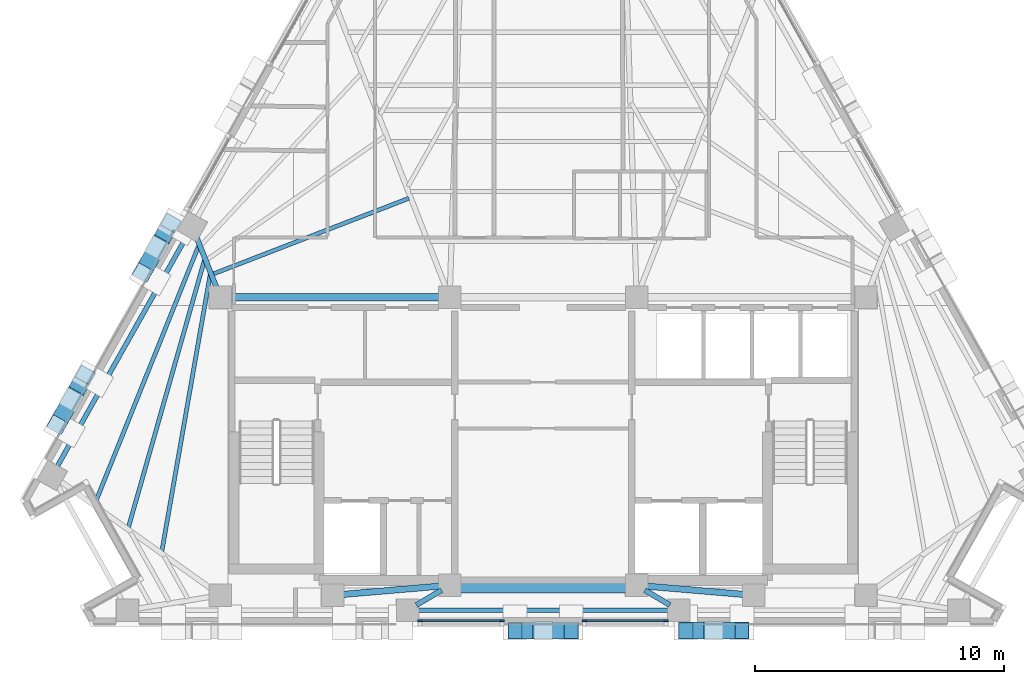
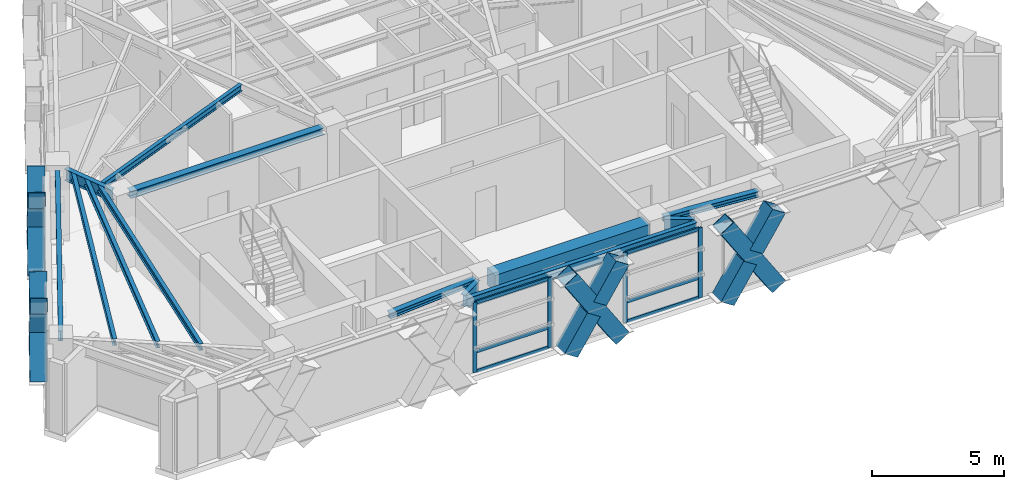
# One storey, part 2 of 12: 22 members, 13 beams, 2 elements without a shape of their own.
"""IFC4 building model written with IfcOpenShell, lengths in metres."""

from ifc_helpers import new_model, si_unit, direction, frame, origin, origin_2d, place, context, subcontext, project, spatial, rectangle, hollow_rectangle, i_section, extrude, material, material_profile, profile_set, type_object, element, aggregate, save


model = new_model("IFC4")

# Units and contexts
model_context = context("Model", 3, precision=1e-05, world=origin(), true_north=direction((0.0, 1.0)))
body_context = subcontext(model_context, "Body", "Model", "MODEL_VIEW")
ifc_project = project(units=[si_unit("LENGTHUNIT", "METRE"), si_unit("AREAUNIT", "SQUARE_METRE"), si_unit("VOLUMEUNIT", "CUBIC_METRE"), si_unit("PLANEANGLEUNIT", "RADIAN"), si_unit("MASSUNIT", "GRAM", prefix="KILO")], contexts=[model_context])

# Site, building, storey
site_placement = place(None, origin())
site = spatial("IfcSite", under=ifc_project, at=site_placement, CompositionType="ELEMENT")
building_placement = place(site_placement, origin())
building = spatial("IfcBuilding", under=site, at=building_placement, Name="Quenlor Broadcast Tower", CompositionType="ELEMENT")
storey_placement = place(building_placement, frame((0.0, 0.0, 204.39990234375)))
storey = spatial("IfcBuildingStorey", under=building, at=storey_placement, Name="L56", CompositionType="ELEMENT", Elevation=204.39990234375)

# Curtain wall, members
ifc_material_1 = material(Name="Architectural Terracotta and Low-E Glazing", Category="masonry")
curtain_wall_type = type_object("IfcCurtainWallType", Name="Unitised Terracotta Curtain Wall System Z4", PredefinedType="NOTDEFINED", material=ifc_material_1)
curtain_wall_1_placement = place(storey_placement, origin())
curtain_wall_1 = element("IfcCurtainWall", 1, at=curtain_wall_1_placement, inside=storey, type_object=curtain_wall_type, Name="L56 Curtain Wall CW4 (L56-S-G1)", PredefinedType="NOTDEFINED")
ifc_material_2 = material(Name="Aluminium 6063-T6", Category="aluminium")
ifc_material_profile_1 = material_profile(ifc_material_2, rectangle(XDim=0.068115234375, YDim=0.179931640625, at=origin_2d()))
ifc_profile_set_1 = profile_set([ifc_material_profile_1], Name="Aluminium 6063-T6 MULL68x180")
member_type_1 = type_object("IfcMemberType", Name="CW4 Aluminium Mullion MULL_CW4", PredefinedType="MULLION", material=ifc_profile_set_1)
member_1_placement = place(storey_placement, frame((4.933837890625, -17.77490234375, 0.0), z_axis=(0.0, 0.0, 1.0), x_axis=(0.0, -1.0, 0.0)))
member_1 = element("IfcMember", 2, at=member_1_placement, type_object=member_type_1, Name="CW4 mullion 1", PredefinedType="MULLION", context=body_context, shape_type="SweptSolid", body=[
    extrude(rectangle(XDim=0.068115234375, YDim=0.179931640625, at=origin_2d()), origin(), (0.0, 0.0, 1.0), 3.25),
])
member_2_placement = place(storey_placement, frame((1.655029296875, -17.77490234375, 0.0), z_axis=(0.0, 0.0, 1.0), x_axis=(0.0, -1.0, 0.0)))
member_2 = element("IfcMember", 3, at=member_2_placement, type_object=member_type_1, Name="CW4 mullion 2", PredefinedType="MULLION", context=body_context, shape_type="SweptSolid", body=[
    extrude(rectangle(XDim=0.068115234375, YDim=0.179931640625, at=origin_2d()), origin(), (0.0, 0.0, 1.0), 3.25),
])

curtain_wall_2_placement = place(storey_placement, origin())
curtain_wall_2 = element("IfcCurtainWall", 4, at=curtain_wall_2_placement, inside=storey, type_object=curtain_wall_type, Name="L56 Curtain Wall CW4 (L56-S-G2)", PredefinedType="NOTDEFINED")
member_3_placement = place(storey_placement, frame((-1.655029296875, -17.77490234375, 0.0), z_axis=(0.0, 0.0, 1.0), x_axis=(0.0, -1.0, 0.0)))
member_3 = element("IfcMember", 5, at=member_3_placement, type_object=member_type_1, Name="CW4 mullion 1", PredefinedType="MULLION", context=body_context, shape_type="SweptSolid", body=[
    extrude(rectangle(XDim=0.068115234375, YDim=0.179931640625, at=origin_2d()), origin(), (0.0, 0.0, 1.0), 3.25),
])
member_4_placement = place(storey_placement, frame((-4.933837890625, -17.77490234375, 0.0), z_axis=(0.0, 0.0, 1.0), x_axis=(0.0, -1.0, 0.0)))
member_4 = element("IfcMember", 6, at=member_4_placement, type_object=member_type_1, Name="CW4 mullion 2", PredefinedType="MULLION", context=body_context, shape_type="SweptSolid", body=[
    extrude(rectangle(XDim=0.068115234375, YDim=0.179931640625, at=origin_2d()), origin(), (0.0, 0.0, 1.0), 3.25),
])

# Member
ifc_material_3 = material(Name="Aluminium 6063-T6", Category="aluminium")
ifc_material_profile_2 = material_profile(ifc_material_3, rectangle(XDim=0.068115234375, YDim=0.14990234375, at=origin_2d()))
ifc_profile_set_2 = profile_set([ifc_material_profile_2], Name="Aluminium 6063-T6 TRAN68x150")
member_type_2 = type_object("IfcMemberType", Name="CW4 Aluminium Transom TRAN_CW4", PredefinedType="USERDEFINED", material=ifc_profile_set_2)
member_5_placement = place(storey_placement, frame((4.89990234375, -17.77490234375, 0.0341796875), z_axis=(-1.0, 0.0, 0.0), x_axis=(0.0, -1.0, 0.0)))
member_5 = element("IfcMember", 7, at=member_5_placement, type_object=member_type_2, Name="CW4 transom 1.1", ObjectType="TRANSOM", PredefinedType="USERDEFINED", context=body_context, shape_type="SweptSolid", body=[
    extrude(rectangle(XDim=0.068115234375, YDim=0.14990234375, at=origin_2d()), origin(), (0.0, 0.0, 1.0), 3.210693359375),
])

member_6_placement = place(storey_placement, frame((4.89990234375, -17.77490234375, 0.9501953125), z_axis=(-1.0, 0.0, 0.0), x_axis=(0.0, -1.0, 0.0)))
member_6 = element("IfcMember", 8, at=member_6_placement, type_object=member_type_2, Name="CW4 transom 1.2", ObjectType="TRANSOM", PredefinedType="USERDEFINED", context=body_context, shape_type="SweptSolid", body=[
    extrude(rectangle(XDim=0.068115234375, YDim=0.14990234375, at=origin_2d()), origin(), (0.0, 0.0, 1.0), 3.210693359375),
])

member_7_placement = place(storey_placement, frame((4.89990234375, -17.77490234375, 3.216064453125), z_axis=(-1.0, 0.0, 0.0), x_axis=(0.0, -1.0, 0.0)))
member_7 = element("IfcMember", 9, at=member_7_placement, type_object=member_type_2, Name="CW4 transom 1.3", ObjectType="TRANSOM", PredefinedType="USERDEFINED", context=body_context, shape_type="SweptSolid", body=[
    extrude(rectangle(XDim=0.068115234375, YDim=0.14990234375, at=origin_2d()), origin(), (0.0, 0.0, 1.0), 3.210693359375),
])

aggregate(curtain_wall_1, [member_1, member_2, member_5, member_6, member_7])

member_8_placement = place(storey_placement, frame((-1.689208984375, -17.77490234375, 0.0341796875), z_axis=(-1.0, 0.0, 0.0), x_axis=(0.0, -1.0, 0.0)))
member_8 = element("IfcMember", 10, at=member_8_placement, type_object=member_type_2, Name="CW4 transom 1.1", ObjectType="TRANSOM", PredefinedType="USERDEFINED", context=body_context, shape_type="SweptSolid", body=[
    extrude(rectangle(XDim=0.068115234375, YDim=0.14990234375, at=origin_2d()), origin(), (0.0, 0.0, 1.0), 3.210693359375),
])

member_9_placement = place(storey_placement, frame((-1.689208984375, -17.77490234375, 0.9501953125), z_axis=(-1.0, 0.0, 0.0), x_axis=(0.0, -1.0, 0.0)))
member_9 = element("IfcMember", 11, at=member_9_placement, type_object=member_type_2, Name="CW4 transom 1.2", ObjectType="TRANSOM", PredefinedType="USERDEFINED", context=body_context, shape_type="SweptSolid", body=[
    extrude(rectangle(XDim=0.068115234375, YDim=0.14990234375, at=origin_2d()), origin(), (0.0, 0.0, 1.0), 3.210693359375),
])

member_10_placement = place(storey_placement, frame((-1.689208984375, -17.77490234375, 3.216064453125), z_axis=(-1.0, 0.0, 0.0), x_axis=(0.0, -1.0, 0.0)))
member_10 = element("IfcMember", 12, at=member_10_placement, type_object=member_type_2, Name="CW4 transom 1.3", ObjectType="TRANSOM", PredefinedType="USERDEFINED", context=body_context, shape_type="SweptSolid", body=[
    extrude(rectangle(XDim=0.068115234375, YDim=0.14990234375, at=origin_2d()), origin(), (0.0, 0.0, 1.0), 3.210693359375),
])

aggregate(curtain_wall_2, [member_3, member_4, member_8, member_9, member_10])

# Beams
ifc_material_4 = material(Name="Concrete C50/60", Category="concrete")
ifc_material_profile_3 = material_profile(ifc_material_4, rectangle(XDim=0.60009765625, YDim=0.800048828125, at=origin_2d()))
ifc_profile_set_3 = profile_set([ifc_material_profile_3], Name="Concrete C50/60 RCB600x800")
beam_type_1 = type_object("IfcBeamType", Name="Core Coupling Beam Concrete C50/60 600x800", PredefinedType="BEAM", material=ifc_profile_set_3)
beam_1_placement = place(storey_placement, frame((-3.389892578125, -16.35009765625, 2.85009765625), z_axis=(1.0, 0.0, 0.0), x_axis=(0.0, 1.0, 0.0)))
element("IfcBeam", 13, at=beam_1_placement, inside=storey, type_object=beam_type_1, Name="L56 Core Coupling Beam 6", PredefinedType="BEAM", context=body_context, shape_type="SweptSolid", body=[
    extrude(rectangle(XDim=0.60009765625, YDim=0.800048828125, at=origin_2d()), origin(), (0.0, 0.0, 1.0), 6.77978515625),
])
ifc_material_5 = material(Name="Steel S355", Category="steel")
ifc_material_profile_4 = material_profile(ifc_material_5, i_section(OverallWidth=0.25390625, OverallDepth=0.25390625, WebThickness=0.008544921875, FlangeThickness=0.01416015625, FilletRadius=0.013916015625, at=origin_2d()))
ifc_profile_set_4 = profile_set([ifc_material_profile_4], Name="Steel S355 250UC72.9")
beam_type_2 = type_object("IfcBeamType", Name="Core Opening Lintel Beam Steel S355 250UC72.9", PredefinedType="LINTEL", material=ifc_profile_set_4)
for number, where, z_axis, x_axis, name in (
    (14, (-8.09130859375, -16.719482421875, 3.123291015625), (0.996399763903, 0.084779186679, 0.0), (-0.084779186679, 0.996399763903, 0.0), "L56 Core Opening Lintel Beam 4"),
    (15, (4.108642578125, -16.380615234375, 3.123291015625), (0.996399763903, -0.084779186679, 0.0), (0.084779186679, 0.996399763903, 0.0), "L56 Core Opening Lintel Beam 5"),
):
    element("IfcBeam", number, at=place(storey_placement, frame(where, z_axis=z_axis, x_axis=x_axis)), inside=storey, type_object=beam_type_2, Name=name, PredefinedType="LINTEL", context=body_context, shape_type="SweptSolid", body=[
        extrude(i_section(OverallWidth=0.25390625, OverallDepth=0.25390625, WebThickness=0.008544921875, FlangeThickness=0.01416015625, FilletRadius=0.013916015625, at=origin_2d()), origin(), (0.0, 0.0, 1.0), 3.9970703125),
    ])
ifc_material_6 = material(Name="Steel S355", Category="steel")
ifc_material_profile_5 = material_profile(ifc_material_6, i_section(OverallWidth=0.306884765625, OverallDepth=0.314697265625, WebThickness=0.011962890625, FlangeThickness=0.018798828125, FilletRadius=0.0166015625, at=origin_2d()))
ifc_profile_set_5 = profile_set([ifc_material_profile_5], Name="Steel S355 310UC118")
beam_type_3 = type_object("IfcBeamType", Name="Core Tie Beam Steel S355 310UC118", PredefinedType="BEAM", material=ifc_profile_set_5)
beam_2_placement = place(storey_placement, frame((-12.590087890625, -4.800048828125, 3.0927734375), z_axis=(1.0, 0.0, 0.0), x_axis=(0.0, 1.0, 0.0)))
element("IfcBeam", 16, at=beam_2_placement, inside=storey, type_object=beam_type_3, Name="L56 Core Tie Beam 1", PredefinedType="BEAM", context=body_context, shape_type="SweptSolid", body=[
    extrude(i_section(OverallWidth=0.306884765625, OverallDepth=0.314697265625, WebThickness=0.011962890625, FlangeThickness=0.018798828125, FilletRadius=0.0166015625, at=origin_2d()), origin(), (0.0, 0.0, 1.0), 8.47998046875),
])

# Members
ifc_material_7 = material(Name="Steel S355", Category="steel")
ifc_material_profile_6 = material_profile(ifc_material_7, hollow_rectangle(XDim=0.679931640625, YDim=0.679931640625, WallThickness=0.02490234375, at=origin_2d()))
ifc_profile_set_6 = profile_set([ifc_material_profile_6], Name="Steel S355 RHS680x680x25")
member_type_3 = type_object("IfcMemberType", Name="Perimeter Diagonal Lattice Brace Z3-Z4 Steel S355 RHS680x25", PredefinedType="BRACE", material=ifc_profile_set_6)
member_11_placement = place(storey_placement, frame((7.978515625, -18.169921875, -0.119873046875), z_axis=(-0.541794306908, 0.0, 0.840511111766), x_axis=(0.0, -1.0, 0.0)))
element("IfcMember", 17, at=member_11_placement, inside=storey, type_object=member_type_3, Name="L56 Perimeter Diamond Lattice S-C2XA", PredefinedType="BRACE", context=body_context, shape_type="SweptSolid", body=[
    extrude(hollow_rectangle(XDim=0.679931640625, YDim=0.679931640625, WallThickness=0.02490234375, at=origin_2d()), origin(), (0.0, 0.0, 1.0), 4.1640625),
])
member_12_placement = place(storey_placement, frame((5.722412109375, -18.169921875, -0.119873046875), z_axis=(0.54184151587, 0.0, 0.840480678945), x_axis=(0.0, 1.0, 0.0)))
element("IfcMember", 18, at=member_12_placement, inside=storey, type_object=member_type_3, Name="L56 Perimeter Diamond Lattice S-C2XB1", PredefinedType="BRACE", context=body_context, shape_type="SweptSolid", body=[
    extrude(hollow_rectangle(XDim=0.679931640625, YDim=0.679931640625, WallThickness=0.02490234375, at=origin_2d()), origin(), (0.0, 0.0, 1.0), 1.83203125),
])
member_13_placement = place(storey_placement, frame((6.98583984375, -18.169921875, 1.840087890625), z_axis=(0.541780832962, 0.0, 0.840519796932), x_axis=(0.0, 1.0, 0.0)))
element("IfcMember", 19, at=member_13_placement, inside=storey, type_object=member_type_3, Name="L56 Perimeter Diamond Lattice S-C2XB2", PredefinedType="BRACE", context=body_context, shape_type="SweptSolid", body=[
    extrude(hollow_rectangle(XDim=0.679931640625, YDim=0.679931640625, WallThickness=0.02490234375, at=origin_2d()), origin(), (0.0, 0.0, 1.0), 1.832275390625),
])
member_14_placement = place(storey_placement, frame((1.1279296875, -18.169921875, -0.119873046875), z_axis=(-0.541752885669, 0.0, 0.840537810493), x_axis=(0.0, -1.0, 0.0)))
element("IfcMember", 20, at=member_14_placement, inside=storey, type_object=member_type_3, Name="L56 Perimeter Diamond Lattice S-C3XA", PredefinedType="BRACE", context=body_context, shape_type="SweptSolid", body=[
    extrude(hollow_rectangle(XDim=0.679931640625, YDim=0.679931640625, WallThickness=0.02490234375, at=origin_2d()), origin(), (0.0, 0.0, 1.0), 4.1640625),
])
member_15_placement = place(storey_placement, frame((-1.1279296875, -18.169921875, -0.119873046875), z_axis=(0.54174736867, 0.0, 0.840541366347), x_axis=(0.0, 1.0, 0.0)))
element("IfcMember", 21, at=member_15_placement, inside=storey, type_object=member_type_3, Name="L56 Perimeter Diamond Lattice S-C3XB1", PredefinedType="BRACE", context=body_context, shape_type="SweptSolid", body=[
    extrude(hollow_rectangle(XDim=0.679931640625, YDim=0.679931640625, WallThickness=0.02490234375, at=origin_2d()), origin(), (0.0, 0.0, 1.0), 1.831787109375),
])
member_16_placement = place(storey_placement, frame((0.135498046875, -18.169921875, 1.840087890625), z_axis=(0.541686687545, 0.0, 0.840580473563), x_axis=(0.0, 1.0, 0.0)))
element("IfcMember", 22, at=member_16_placement, inside=storey, type_object=member_type_3, Name="L56 Perimeter Diamond Lattice S-C3XB2", PredefinedType="BRACE", context=body_context, shape_type="SweptSolid", body=[
    extrude(hollow_rectangle(XDim=0.679931640625, YDim=0.679931640625, WallThickness=0.02490234375, at=origin_2d()), origin(), (0.0, 0.0, 1.0), 1.83203125),
])
member_17_placement = place(storey_placement, frame((-19.49609375, -9.912841796875, -0.119873046875), z_axis=(0.269547055694, 0.479136497832, 0.835327840559), x_axis=(-0.871550060774, 0.49030652817, 0.0)))
element("IfcMember", 23, at=member_17_placement, inside=storey, type_object=member_type_3, Name="L56 Perimeter Diamond Lattice NW-C1XA", PredefinedType="BRACE", context=body_context, shape_type="SweptSolid", body=[
    extrude(hollow_rectangle(XDim=0.679931640625, YDim=0.679931640625, WallThickness=0.02490234375, at=origin_2d()), origin(), (0.0, 0.0, 1.0), 4.18994140625),
])
for number, where, z_axis, x_axis, name in (
    (24, (-18.36669921875, -7.9052734375, -0.119873046875), (-0.269535527865, -0.479130165145, 0.835335192642), (0.871556252289, -0.490295522207, 0.0), "L56 Perimeter Diamond Lattice NW-C1XB1"),
    (25, (-18.998779296875, -9.02880859375, 1.8388671875), (-0.269535527865, -0.479130165145, 0.835335192642), (0.871556252289, -0.490295522207, 0.0), "L56 Perimeter Diamond Lattice NW-C1XB2"),
):
    element("IfcMember", number, at=place(storey_placement, frame(where, z_axis=z_axis, x_axis=x_axis)), inside=storey, type_object=member_type_3, Name=name, PredefinedType="BRACE", context=body_context, shape_type="SweptSolid", body=[
        extrude(hollow_rectangle(XDim=0.679931640625, YDim=0.679931640625, WallThickness=0.02490234375, at=origin_2d()), origin(), (0.0, 0.0, 1.0), 1.844970703125),
    ])
member_18_placement = place(storey_placement, frame((-16.06689453125, -3.816650390625, -0.119873046875), z_axis=(0.269547055694, 0.479136497832, 0.835327840559), x_axis=(-0.871550060774, 0.49030652817, 0.0)))
element("IfcMember", 26, at=member_18_placement, inside=storey, type_object=member_type_3, Name="L56 Perimeter Diamond Lattice NW-C2XA", PredefinedType="BRACE", context=body_context, shape_type="SweptSolid", body=[
    extrude(hollow_rectangle(XDim=0.679931640625, YDim=0.679931640625, WallThickness=0.02490234375, at=origin_2d()), origin(), (0.0, 0.0, 1.0), 4.18994140625),
])
for number, where, z_axis, x_axis, name in (
    (27, (-14.9375, -1.80908203125, -0.119873046875), (-0.269535527865, -0.479130165145, 0.835335192642), (0.871556252289, -0.490295522207, 0.0), "L56 Perimeter Diamond Lattice NW-C2XB1"),
    (28, (-15.569580078125, -2.9326171875, 1.8388671875), (-0.269535527865, -0.479130165145, 0.835335192642), (0.871556252289, -0.490295522207, 0.0), "L56 Perimeter Diamond Lattice NW-C2XB2"),
):
    element("IfcMember", number, at=place(storey_placement, frame(where, z_axis=z_axis, x_axis=x_axis)), inside=storey, type_object=member_type_3, Name=name, PredefinedType="BRACE", context=body_context, shape_type="SweptSolid", body=[
        extrude(hollow_rectangle(XDim=0.679931640625, YDim=0.679931640625, WallThickness=0.02490234375, at=origin_2d()), origin(), (0.0, 0.0, 1.0), 1.844970703125),
    ])

# Beams
ifc_material_8 = material(Name="Steel S355", Category="steel")
ifc_material_profile_7 = material_profile(ifc_material_8, i_section(OverallWidth=0.18994140625, OverallDepth=0.453857421875, WebThickness=0.008544921875, FlangeThickness=0.0126953125, FilletRadius=0.011474609375, at=origin_2d()))
ifc_profile_set_7 = profile_set([ifc_material_profile_7], Name="Steel S355 460UB67.1")
beam_type_4 = type_object("IfcBeamType", Name="Perimeter Spandrel Beam Z4 Steel S355 460UB67.1", PredefinedType="SPANDREL", material=ifc_profile_set_7)
beam_3_placement = place(storey_placement, frame((-5.02783203125, -17.35009765625, 3.023193359375), z_axis=(1.0, 0.0, 0.0), x_axis=(0.0, 1.0, 0.0)))
element("IfcBeam", 29, at=beam_3_placement, inside=storey, type_object=beam_type_4, Name="L56 Spandrel Beam S2-S3", PredefinedType="SPANDREL", context=body_context, shape_type="SweptSolid", body=[
    extrude(i_section(OverallWidth=0.18994140625, OverallDepth=0.453857421875, WebThickness=0.008544921875, FlangeThickness=0.0126953125, FilletRadius=0.011474609375, at=origin_2d()), origin(), (0.0, 0.0, 1.0), 10.0556640625),
])
beam_4_placement = place(storey_placement, frame((-14.2783203125, -2.3095703125, 3.023193359375), z_axis=(-0.490272131974, -0.871569410093, 0.0), x_axis=(0.871569410093, -0.490272131974, 0.0)))
element("IfcBeam", 30, at=beam_4_placement, inside=storey, type_object=beam_type_4, Name="L56 Spandrel Beam NW3-NW4", PredefinedType="SPANDREL", context=body_context, shape_type="SweptSolid", body=[
    extrude(i_section(OverallWidth=0.18994140625, OverallDepth=0.453857421875, WebThickness=0.008544921875, FlangeThickness=0.0126953125, FilletRadius=0.011474609375, at=origin_2d()), origin(), (0.0, 0.0, 1.0), 10.6416015625),
])
ifc_material_9 = material(Name="Steel S355", Category="steel")
ifc_material_profile_8 = material_profile(ifc_material_9, i_section(OverallWidth=0.166015625, OverallDepth=0.30712890625, WebThickness=0.006591796875, FlangeThickness=0.01171875, FilletRadius=0.011474609375, at=origin_2d()))
ifc_profile_set_8 = profile_set([ifc_material_profile_8], Name="Steel S355 310UB46.2")
beam_type_5 = type_object("IfcBeamType", Name="Tower Composite Joist Z4-Z5 Steel S355 310UB46.2", PredefinedType="JOIST", material=ifc_profile_set_8)
beam_5_placement = place(storey_placement, frame((-13.236083984375, -3.85986328125, 3.096435546875), z_axis=(0.932639299023, 0.360810113381, 0.0), x_axis=(-0.360810113381, 0.932639299023, 0.0)))
element("IfcBeam", 31, at=beam_5_placement, inside=storey, type_object=beam_type_5, Name="L56 Secondary Composite Joist 7", PredefinedType="JOIST", context=body_context, shape_type="SweptSolid", body=[
    extrude(i_section(OverallWidth=0.166015625, OverallDepth=0.30712890625, WebThickness=0.006591796875, FlangeThickness=0.01171875, FilletRadius=0.011474609375, at=origin_2d()), origin(), (0.0, 0.0, 1.0), 8.413330078125),
])
beam_6_placement = place(storey_placement, frame((-15.297607421875, -14.98828125, 3.096435546875), z_axis=(0.172003691938, 0.985096304916, 0.0), x_axis=(-0.985096304916, 0.172003691938, 0.0)))
element("IfcBeam", 32, at=beam_6_placement, inside=storey, type_object=beam_type_5, Name="L56 Secondary Composite Joist 13", PredefinedType="JOIST", context=body_context, shape_type="SweptSolid", body=[
    extrude(i_section(OverallWidth=0.166015625, OverallDepth=0.30712890625, WebThickness=0.006591796875, FlangeThickness=0.01171875, FilletRadius=0.011474609375, at=origin_2d()), origin(), (0.0, 0.0, 1.0), 11.274169921875),
])
beam_7_placement = place(storey_placement, frame((-16.638671875, -14.028564453125, 3.096435546875), z_axis=(0.273447576454, 0.961886907558, 0.0), x_axis=(-0.961886907558, 0.273447576454, 0.0)))
element("IfcBeam", 33, at=beam_7_placement, inside=storey, type_object=beam_type_5, Name="L56 Secondary Composite Joist 14", PredefinedType="JOIST", context=body_context, shape_type="SweptSolid", body=[
    extrude(i_section(OverallWidth=0.166015625, OverallDepth=0.30712890625, WebThickness=0.006591796875, FlangeThickness=0.01171875, FilletRadius=0.011474609375, at=origin_2d()), origin(), (0.0, 0.0, 1.0), 11.142333984375),
])
beam_8_placement = place(storey_placement, frame((-17.97998046875, -13.069580078125, 3.096435546875), z_axis=(0.373094895103, 0.927793187757, 0.0), x_axis=(-0.927793187757, 0.373094895103, 0.0)))
element("IfcBeam", 34, at=beam_8_placement, inside=storey, type_object=beam_type_5, Name="L56 Secondary Composite Joist 15", PredefinedType="JOIST", context=body_context, shape_type="SweptSolid", body=[
    extrude(i_section(OverallWidth=0.166015625, OverallDepth=0.30712890625, WebThickness=0.006591796875, FlangeThickness=0.01171875, FilletRadius=0.011474609375, at=origin_2d()), origin(), (0.0, 0.0, 1.0), 11.13525390625),
])
ifc_material_10 = material(Name="Steel S355", Category="steel")
ifc_material_profile_9 = material_profile(ifc_material_10, i_section(OverallWidth=0.208984375, OverallDepth=0.5283203125, WebThickness=0.009521484375, FlangeThickness=0.01318359375, FilletRadius=0.013916015625, at=origin_2d()))
ifc_profile_set_9 = profile_set([ifc_material_profile_9], Name="Steel S355 530UB82.0")
beam_type_6 = type_object("IfcBeamType", Name="Tower Primary Floor Beam Z4 Steel S355 530UB82.0", PredefinedType="BEAM", material=ifc_profile_set_9)
for number, where, z_axis, x_axis, name in (
    (35, (-5.085205078125, -17.14111328125, 2.986083984375), (0.86032875258, 0.509739578102, 0.0), (-0.509739578102, 0.86032875258, 0.0), "L56 Primary Radial Beam S2"),
    (36, (5.085205078125, -17.14111328125, 2.986083984375), (-0.86032875258, 0.509739578102, 0.0), (-0.509739578102, -0.86032875258, 0.0), "L56 Primary Radial Beam S3"),
):
    element("IfcBeam", number, at=place(storey_placement, frame(where, z_axis=z_axis, x_axis=x_axis)), inside=storey, type_object=beam_type_6, Name=name, PredefinedType="BEAM", context=body_context, shape_type="SweptSolid", body=[
        extrude(i_section(OverallWidth=0.208984375, OverallDepth=0.5283203125, WebThickness=0.009521484375, FlangeThickness=0.01318359375, FilletRadius=0.013916015625, at=origin_2d()), origin(), (0.0, 0.0, 1.0), 1.171875),
    ])
beam_9_placement = place(storey_placement, frame((-13.926513671875, -2.33349609375, 2.986083984375), z_axis=(0.368110359783, -0.92978210513, 0.0), x_axis=(0.92978210513, 0.368110359783, 0.0)))
element("IfcBeam", 37, at=beam_9_placement, inside=storey, type_object=beam_type_6, Name="L56 Primary Radial Beam NW3", PredefinedType="BEAM", context=body_context, shape_type="SweptSolid", body=[
    extrude(i_section(OverallWidth=0.208984375, OverallDepth=0.5283203125, WebThickness=0.009521484375, FlangeThickness=0.01318359375, FilletRadius=0.013916015625, at=origin_2d()), origin(), (0.0, 0.0, 1.0), 2.27294921875),
])

save(model, "model.ifc")
